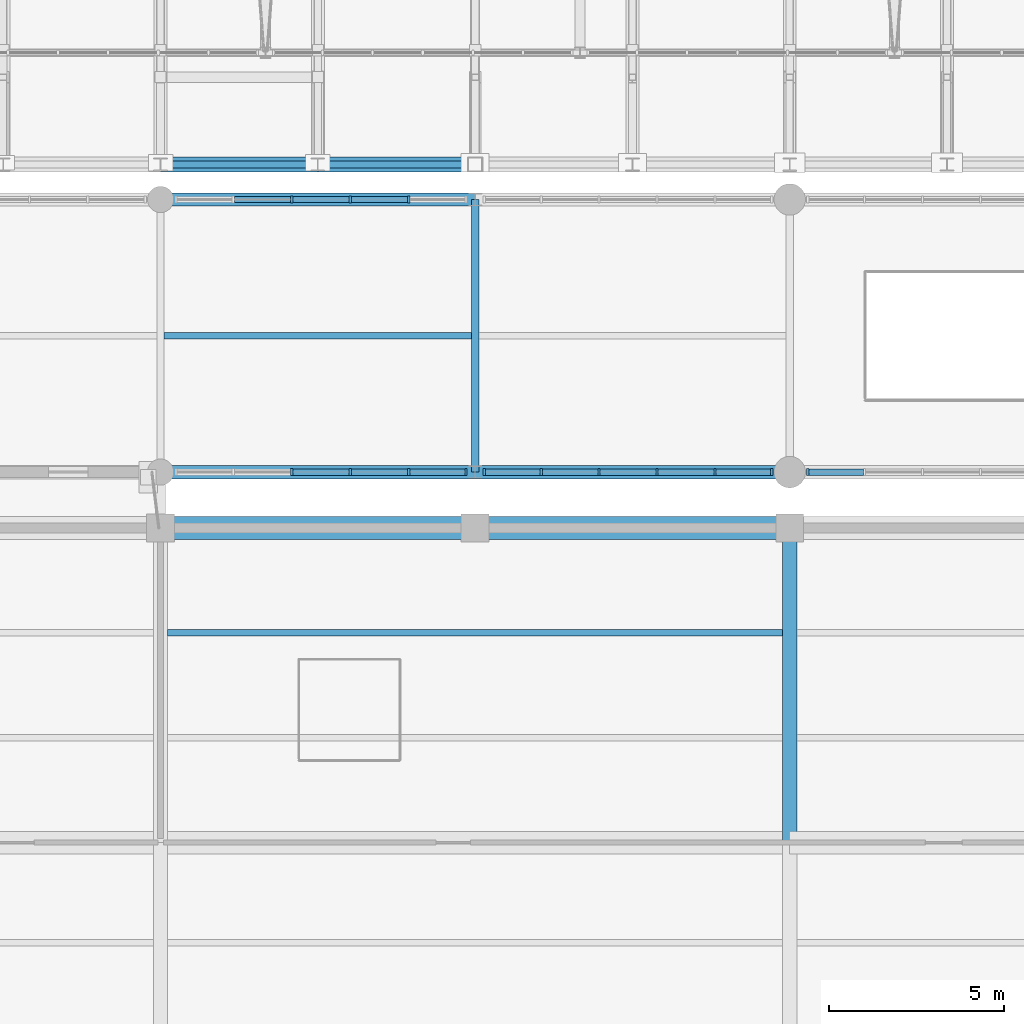
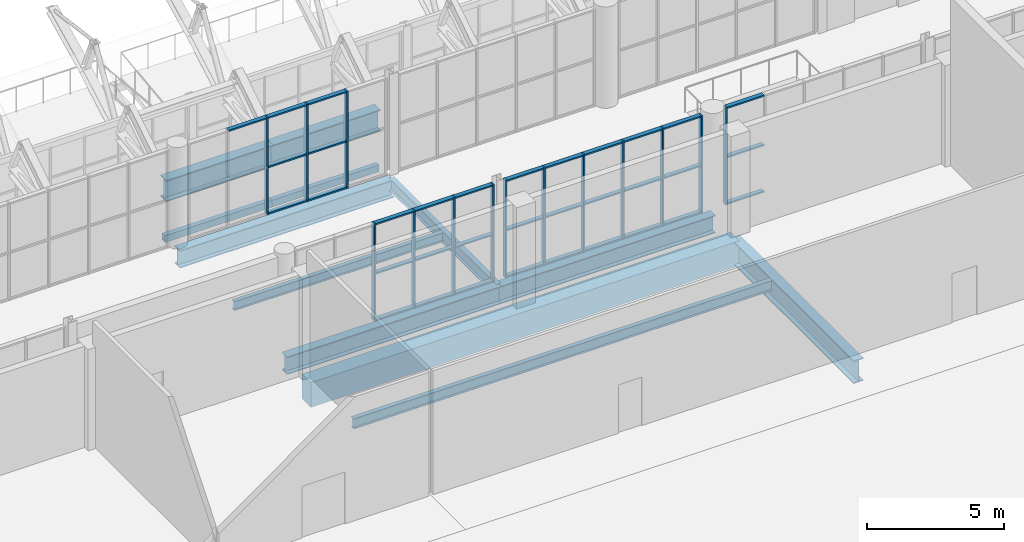
# One storey, part 40 of 134: 48 members, 12 beams, 4 elements without a shape of their own.
"""IFC4 building model written with IfcOpenShell, lengths in metres."""

from ifc_helpers import new_model, si_unit, direction, frame, origin, origin_2d, place, context, subcontext, project, spatial, rectangle, hollow_rectangle, i_section, extrude, material, layer, layer_set, material_profile, profile_set, type_object, element, aggregate, save


model = new_model("IFC4")

# Units and contexts
model_context = context("Model", 3, precision=1e-05, world=origin(), true_north=direction((0.0, 1.0)))
body_context = subcontext(model_context, "Body", "Model", "MODEL_VIEW")
ifc_project = project(units=[si_unit("LENGTHUNIT", "METRE"), si_unit("AREAUNIT", "SQUARE_METRE"), si_unit("VOLUMEUNIT", "CUBIC_METRE"), si_unit("PLANEANGLEUNIT", "RADIAN"), si_unit("MASSUNIT", "GRAM", prefix="KILO")], contexts=[model_context])

# Site, building, storey
site_placement = place(None, origin())
site = spatial("IfcSite", under=ifc_project, at=site_placement, CompositionType="ELEMENT")
building_placement = place(site_placement, origin())
building = spatial("IfcBuilding", under=site, at=building_placement, Name="Cazmaro Siding Exhibition Halls", CompositionType="ELEMENT")
storey_placement = place(building_placement, frame((0.0, 0.0, 12.0)))
storey = spatial("IfcBuildingStorey", under=building, at=storey_placement, Name="L02", CompositionType="ELEMENT", Elevation=12.0)

# Beam
ifc_material_1 = material(Name="Steel ASTM A992 Grade 50", Category="steel")
ifc_material_profile_1 = material_profile(ifc_material_1, i_section(OverallWidth=0.2099609375, OverallDepth=0.535888671875, WebThickness=0.010986328125, FlangeThickness=0.01708984375, at=origin_2d()), Name="W21X68")
ifc_profile_set_1 = profile_set([ifc_material_profile_1], Name="Steel ASTM A992 Grade 50")
beam_type_1 = type_object("IfcBeamType", Name="B-02", PredefinedType="BEAM", material=ifc_profile_set_1)
beam_1_placement = place(storey_placement, frame((117.0, 55.199951171875, -0.488037109375), z_axis=(0.0, 1.0, 0.0), x_axis=(-1.0, 0.0, 0.0)))
element("IfcBeam", 1, at=beam_1_placement, inside=storey, type_object=beam_type_1, Name="Beam B-02 BM-1712", PredefinedType="BEAM", context=body_context, shape_type="SweptSolid", body=[
    extrude(i_section(OverallWidth=0.2099609375, OverallDepth=0.535888671875, WebThickness=0.010986328125, FlangeThickness=0.01708984375, at=origin_2d()), origin(), (0.0, 0.0, 1.0), 7.800048828125),
])

# Curtain wall, members
ifc_material_2 = material(Name="Anodized Bronze Aluminum and Solar-Control Low-E Glazing", Category="aluminium")
ifc_layer = layer(ifc_material_2, 0.199951171875)
ifc_layer_set = layer_set([ifc_layer], Name="Anodized Bronze Aluminum and Solar-Control Low-E Glazing")
curtain_wall_type = type_object("IfcCurtainWallType", Name="CWS-02", PredefinedType="USERDEFINED", material=ifc_layer_set)
curtain_wall_1_placement = place(storey_placement, origin())
curtain_wall_1 = element("IfcCurtainWall", 2, at=curtain_wall_1_placement, inside=storey, type_object=curtain_wall_type, Name="Glazed Curtain Wall CWS-02 CW-182", ObjectType="GLAZED CURTAIN WALL", PredefinedType="USERDEFINED")
ifc_material_3 = material(Name="Anodized Bronze Extruded Aluminum", Category="aluminium")
ifc_material_profile_2 = material_profile(ifc_material_3, rectangle(XDim=0.199951171875, YDim=0.06494140625, at=origin_2d()), Name="CWM-02")
ifc_profile_set_2 = profile_set([ifc_material_profile_2], Name="Anodized Bronze Extruded Aluminum")
member_type_1 = type_object("IfcMemberType", Name="CWM-02", PredefinedType="MULLION", material=ifc_profile_set_2)
member_1_placement = place(storey_placement, frame((111.752685546875, 55.199951171875, 0.0), z_axis=(0.0, 0.0, 1.0), x_axis=(0.0, 1.0, 0.0)))
member_1 = element("IfcMember", 3, at=member_1_placement, type_object=member_type_1, Name="CWS-02 mullion 3", PredefinedType="MULLION", context=body_context, shape_type="SweptSolid", body=[
    extrude(rectangle(XDim=0.199951171875, YDim=0.06494140625, at=origin_2d()), origin(), (0.0, 0.0, 1.0), 4.324951171875),
])
member_2_placement = place(storey_placement, frame((113.42529296875, 55.199951171875, 0.0), z_axis=(0.0, 0.0, 1.0), x_axis=(0.0, 1.0, 0.0)))
member_2 = element("IfcMember", 4, at=member_2_placement, type_object=member_type_1, Name="CWS-02 mullion 4", PredefinedType="MULLION", context=body_context, shape_type="SweptSolid", body=[
    extrude(rectangle(XDim=0.199951171875, YDim=0.06494140625, at=origin_2d()), origin(), (0.0, 0.0, 1.0), 4.324951171875),
])
member_3_placement = place(storey_placement, frame((115.09765625, 55.199951171875, 0.0), z_axis=(0.0, 0.0, 1.0), x_axis=(0.0, 1.0, 0.0)))
member_3 = element("IfcMember", 5, at=member_3_placement, type_object=member_type_1, Name="CWS-02 mullion 5", PredefinedType="MULLION", context=body_context, shape_type="SweptSolid", body=[
    extrude(rectangle(XDim=0.199951171875, YDim=0.06494140625, at=origin_2d()), origin(), (0.0, 0.0, 1.0), 4.324951171875),
])
member_4_placement = place(storey_placement, frame((116.737548828125, 55.199951171875, 0.0), z_axis=(0.0, 0.0, 1.0), x_axis=(0.0, 1.0, 0.0)))
member_4 = element("IfcMember", 6, at=member_4_placement, type_object=member_type_1, Name="CWS-02 mullion 6", PredefinedType="MULLION", context=body_context, shape_type="SweptSolid", body=[
    extrude(rectangle(XDim=0.199951171875, YDim=0.06494140625, at=origin_2d()), origin(), (0.0, 0.0, 1.0), 4.324951171875),
])

curtain_wall_2_placement = place(storey_placement, origin())
curtain_wall_2 = element("IfcCurtainWall", 7, at=curtain_wall_2_placement, inside=storey, type_object=curtain_wall_type, Name="Glazed Curtain Wall CWS-02 CW-184", ObjectType="GLAZED CURTAIN WALL", PredefinedType="USERDEFINED")
member_5_placement = place(storey_placement, frame((115.09765625, 63.0, 0.0), z_axis=(0.0, 0.0, 1.0), x_axis=(0.0, -1.0, 0.0)))
member_5 = element("IfcMember", 8, at=member_5_placement, type_object=member_type_1, Name="CWS-02 mullion 2", PredefinedType="MULLION", context=body_context, shape_type="SweptSolid", body=[
    extrude(rectangle(XDim=0.199951171875, YDim=0.06494140625, at=origin_2d()), origin(), (0.0, 0.0, 1.0), 4.324951171875),
])
member_6_placement = place(storey_placement, frame((113.42529296875, 63.0, 0.0), z_axis=(0.0, 0.0, 1.0), x_axis=(0.0, -1.0, 0.0)))
member_6 = element("IfcMember", 9, at=member_6_placement, type_object=member_type_1, Name="CWS-02 mullion 3", PredefinedType="MULLION", context=body_context, shape_type="SweptSolid", body=[
    extrude(rectangle(XDim=0.199951171875, YDim=0.06494140625, at=origin_2d()), origin(), (0.0, 0.0, 1.0), 4.324951171875),
])
member_7_placement = place(storey_placement, frame((111.752685546875, 63.0, 0.0), z_axis=(0.0, 0.0, 1.0), x_axis=(0.0, -1.0, 0.0)))
member_7 = element("IfcMember", 10, at=member_7_placement, type_object=member_type_1, Name="CWS-02 mullion 4", PredefinedType="MULLION", context=body_context, shape_type="SweptSolid", body=[
    extrude(rectangle(XDim=0.199951171875, YDim=0.06494140625, at=origin_2d()), origin(), (0.0, 0.0, 1.0), 4.324951171875),
])

curtain_wall_3_placement = place(storey_placement, origin())
curtain_wall_3 = element("IfcCurtainWall", 11, at=curtain_wall_3_placement, inside=storey, type_object=curtain_wall_type, Name="Glazed Curtain Wall CWS-02 CW-187", ObjectType="GLAZED CURTAIN WALL", PredefinedType="USERDEFINED")
member_8_placement = place(storey_placement, frame((117.262451171875, 55.199951171875, 0.0), z_axis=(0.0, 0.0, 1.0), x_axis=(0.0, 1.0, 0.0)))
member_8 = element("IfcMember", 12, at=member_8_placement, type_object=member_type_1, Name="CWS-02 mullion 1", PredefinedType="MULLION", context=body_context, shape_type="SweptSolid", body=[
    extrude(rectangle(XDim=0.199951171875, YDim=0.06494140625, at=origin_2d()), origin(), (0.0, 0.0, 1.0), 4.324951171875),
])
member_9_placement = place(storey_placement, frame((118.887451171875, 55.199951171875, 0.0), z_axis=(0.0, 0.0, 1.0), x_axis=(0.0, 1.0, 0.0)))
member_9 = element("IfcMember", 13, at=member_9_placement, type_object=member_type_1, Name="CWS-02 mullion 2", PredefinedType="MULLION", context=body_context, shape_type="SweptSolid", body=[
    extrude(rectangle(XDim=0.199951171875, YDim=0.06494140625, at=origin_2d()), origin(), (0.0, 0.0, 1.0), 4.324951171875),
])
member_10_placement = place(storey_placement, frame((120.544921875, 55.199951171875, 0.0), z_axis=(0.0, 0.0, 1.0), x_axis=(0.0, 1.0, 0.0)))
member_10 = element("IfcMember", 14, at=member_10_placement, type_object=member_type_1, Name="CWS-02 mullion 3", PredefinedType="MULLION", context=body_context, shape_type="SweptSolid", body=[
    extrude(rectangle(XDim=0.199951171875, YDim=0.06494140625, at=origin_2d()), origin(), (0.0, 0.0, 1.0), 4.324951171875),
])
member_11_placement = place(storey_placement, frame((122.2021484375, 55.199951171875, 0.0), z_axis=(0.0, 0.0, 1.0), x_axis=(0.0, 1.0, 0.0)))
member_11 = element("IfcMember", 15, at=member_11_placement, type_object=member_type_1, Name="CWS-02 mullion 4", PredefinedType="MULLION", context=body_context, shape_type="SweptSolid", body=[
    extrude(rectangle(XDim=0.199951171875, YDim=0.06494140625, at=origin_2d()), origin(), (0.0, 0.0, 1.0), 4.324951171875),
])
member_12_placement = place(storey_placement, frame((123.859619140625, 55.199951171875, 0.0), z_axis=(0.0, 0.0, 1.0), x_axis=(0.0, 1.0, 0.0)))
member_12 = element("IfcMember", 16, at=member_12_placement, type_object=member_type_1, Name="CWS-02 mullion 5", PredefinedType="MULLION", context=body_context, shape_type="SweptSolid", body=[
    extrude(rectangle(XDim=0.199951171875, YDim=0.06494140625, at=origin_2d()), origin(), (0.0, 0.0, 1.0), 4.324951171875),
])
member_13_placement = place(storey_placement, frame((125.484619140625, 55.199951171875, 0.0), z_axis=(0.0, 0.0, 1.0), x_axis=(0.0, 1.0, 0.0)))
member_13 = element("IfcMember", 17, at=member_13_placement, type_object=member_type_1, Name="CWS-02 mullion 6", PredefinedType="MULLION", context=body_context, shape_type="SweptSolid", body=[
    extrude(rectangle(XDim=0.199951171875, YDim=0.06494140625, at=origin_2d()), origin(), (0.0, 0.0, 1.0), 4.324951171875),
])

# Curtain wall, member
curtain_wall_4_placement = place(storey_placement, origin())
curtain_wall_4 = element("IfcCurtainWall", 18, at=curtain_wall_4_placement, inside=storey, type_object=curtain_wall_type, Name="Glazed Curtain Wall CWS-02 CW-193", ObjectType="GLAZED CURTAIN WALL", PredefinedType="USERDEFINED")
member_14_placement = place(storey_placement, frame((126.515380859375, 55.199951171875, 0.0), z_axis=(0.0, 0.0, 1.0), x_axis=(0.0, 1.0, 0.0)))
member_14 = element("IfcMember", 19, at=member_14_placement, type_object=member_type_1, Name="CWS-02 mullion 1", PredefinedType="MULLION", context=body_context, shape_type="SweptSolid", body=[
    extrude(rectangle(XDim=0.199951171875, YDim=0.06494140625, at=origin_2d()), origin(), (0.0, 0.0, 1.0), 4.324951171875),
])

# Member
ifc_material_4 = material(Name="Anodized Bronze Extruded Aluminum", Category="aluminium")
ifc_material_profile_3 = material_profile(ifc_material_4, rectangle(XDim=0.179931640625, YDim=0.06494140625, at=origin_2d()), Name="CWT-02")
ifc_profile_set_3 = profile_set([ifc_material_profile_3], Name="Anodized Bronze Extruded Aluminum")
member_type_2 = type_object("IfcMemberType", Name="CWT-02", PredefinedType="MULLION", material=ifc_profile_set_3)
member_15_placement = place(storey_placement, frame((111.785400390625, 55.199951171875, 0.032470703125), z_axis=(1.0, 0.0, 0.0), x_axis=(0.0, 1.0, 0.0)))
member_15 = element("IfcMember", 20, at=member_15_placement, type_object=member_type_2, Name="CWS-02 transom 3.1", ObjectType="TRANSOM", PredefinedType="USERDEFINED", context=body_context, shape_type="SweptSolid", body=[
    extrude(rectangle(XDim=0.179931640625, YDim=0.06494140625, at=origin_2d()), origin(), (0.0, 0.0, 1.0), 1.607177734375),
])

member_16_placement = place(storey_placement, frame((111.785400390625, 55.199951171875, 2.10009765625), z_axis=(1.0, 0.0, 0.0), x_axis=(0.0, 1.0, 0.0)))
member_16 = element("IfcMember", 21, at=member_16_placement, type_object=member_type_2, Name="CWS-02 transom 3.2", ObjectType="TRANSOM", PredefinedType="USERDEFINED", context=body_context, shape_type="SweptSolid", body=[
    extrude(rectangle(XDim=0.179931640625, YDim=0.06494140625, at=origin_2d()), origin(), (0.0, 0.0, 1.0), 1.607177734375),
])

member_17_placement = place(storey_placement, frame((111.785400390625, 55.199951171875, 4.29248046875), z_axis=(1.0, 0.0, 0.0), x_axis=(0.0, 1.0, 0.0)))
member_17 = element("IfcMember", 22, at=member_17_placement, type_object=member_type_2, Name="CWS-02 transom 3.3", ObjectType="TRANSOM", PredefinedType="USERDEFINED", context=body_context, shape_type="SweptSolid", body=[
    extrude(rectangle(XDim=0.179931640625, YDim=0.06494140625, at=origin_2d()), origin(), (0.0, 0.0, 1.0), 1.607177734375),
])

member_18_placement = place(storey_placement, frame((113.457763671875, 55.199951171875, 0.032470703125), z_axis=(1.0, 0.0, 0.0), x_axis=(0.0, 1.0, 0.0)))
member_18 = element("IfcMember", 23, at=member_18_placement, type_object=member_type_2, Name="CWS-02 transom 4.1", ObjectType="TRANSOM", PredefinedType="USERDEFINED", context=body_context, shape_type="SweptSolid", body=[
    extrude(rectangle(XDim=0.179931640625, YDim=0.06494140625, at=origin_2d()), origin(), (0.0, 0.0, 1.0), 1.607421875),
])

member_19_placement = place(storey_placement, frame((113.457763671875, 55.199951171875, 2.10009765625), z_axis=(1.0, 0.0, 0.0), x_axis=(0.0, 1.0, 0.0)))
member_19 = element("IfcMember", 24, at=member_19_placement, type_object=member_type_2, Name="CWS-02 transom 4.2", ObjectType="TRANSOM", PredefinedType="USERDEFINED", context=body_context, shape_type="SweptSolid", body=[
    extrude(rectangle(XDim=0.179931640625, YDim=0.06494140625, at=origin_2d()), origin(), (0.0, 0.0, 1.0), 1.607421875),
])

member_20_placement = place(storey_placement, frame((113.457763671875, 55.199951171875, 4.29248046875), z_axis=(1.0, 0.0, 0.0), x_axis=(0.0, 1.0, 0.0)))
member_20 = element("IfcMember", 25, at=member_20_placement, type_object=member_type_2, Name="CWS-02 transom 4.3", ObjectType="TRANSOM", PredefinedType="USERDEFINED", context=body_context, shape_type="SweptSolid", body=[
    extrude(rectangle(XDim=0.179931640625, YDim=0.06494140625, at=origin_2d()), origin(), (0.0, 0.0, 1.0), 1.607421875),
])

member_21_placement = place(storey_placement, frame((115.130126953125, 55.199951171875, 0.032470703125), z_axis=(1.0, 0.0, 0.0), x_axis=(0.0, 1.0, 0.0)))
member_21 = element("IfcMember", 26, at=member_21_placement, type_object=member_type_2, Name="CWS-02 transom 5.1", ObjectType="TRANSOM", PredefinedType="USERDEFINED", context=body_context, shape_type="SweptSolid", body=[
    extrude(rectangle(XDim=0.179931640625, YDim=0.06494140625, at=origin_2d()), origin(), (0.0, 0.0, 1.0), 1.574951171875),
])

member_22_placement = place(storey_placement, frame((115.130126953125, 55.199951171875, 2.10009765625), z_axis=(1.0, 0.0, 0.0), x_axis=(0.0, 1.0, 0.0)))
member_22 = element("IfcMember", 27, at=member_22_placement, type_object=member_type_2, Name="CWS-02 transom 5.2", ObjectType="TRANSOM", PredefinedType="USERDEFINED", context=body_context, shape_type="SweptSolid", body=[
    extrude(rectangle(XDim=0.179931640625, YDim=0.06494140625, at=origin_2d()), origin(), (0.0, 0.0, 1.0), 1.574951171875),
])

member_23_placement = place(storey_placement, frame((115.130126953125, 55.199951171875, 4.29248046875), z_axis=(1.0, 0.0, 0.0), x_axis=(0.0, 1.0, 0.0)))
member_23 = element("IfcMember", 28, at=member_23_placement, type_object=member_type_2, Name="CWS-02 transom 5.3", ObjectType="TRANSOM", PredefinedType="USERDEFINED", context=body_context, shape_type="SweptSolid", body=[
    extrude(rectangle(XDim=0.179931640625, YDim=0.06494140625, at=origin_2d()), origin(), (0.0, 0.0, 1.0), 1.574951171875),
])

aggregate(curtain_wall_1, [member_1, member_2, member_3, member_4, member_15, member_16, member_17, member_18, member_19, member_20, member_21, member_22, member_23])

member_24_placement = place(storey_placement, frame((115.065185546875, 63.0, 0.032470703125), z_axis=(-1.0, 0.0, 0.0), x_axis=(0.0, -1.0, 0.0)))
member_24 = element("IfcMember", 29, at=member_24_placement, type_object=member_type_2, Name="CWS-02 transom 2.1", ObjectType="TRANSOM", PredefinedType="USERDEFINED", context=body_context, shape_type="SweptSolid", body=[
    extrude(rectangle(XDim=0.179931640625, YDim=0.06494140625, at=origin_2d()), origin(), (0.0, 0.0, 1.0), 1.607421875),
])

member_25_placement = place(storey_placement, frame((115.065185546875, 63.0, 2.10009765625), z_axis=(-1.0, 0.0, 0.0), x_axis=(0.0, -1.0, 0.0)))
member_25 = element("IfcMember", 30, at=member_25_placement, type_object=member_type_2, Name="CWS-02 transom 2.2", ObjectType="TRANSOM", PredefinedType="USERDEFINED", context=body_context, shape_type="SweptSolid", body=[
    extrude(rectangle(XDim=0.179931640625, YDim=0.06494140625, at=origin_2d()), origin(), (0.0, 0.0, 1.0), 1.607421875),
])

member_26_placement = place(storey_placement, frame((115.065185546875, 63.0, 4.29248046875), z_axis=(-1.0, 0.0, 0.0), x_axis=(0.0, -1.0, 0.0)))
member_26 = element("IfcMember", 31, at=member_26_placement, type_object=member_type_2, Name="CWS-02 transom 2.3", ObjectType="TRANSOM", PredefinedType="USERDEFINED", context=body_context, shape_type="SweptSolid", body=[
    extrude(rectangle(XDim=0.179931640625, YDim=0.06494140625, at=origin_2d()), origin(), (0.0, 0.0, 1.0), 1.607421875),
])

member_27_placement = place(storey_placement, frame((113.392578125, 63.0, 0.032470703125), z_axis=(-1.0, 0.0, 0.0), x_axis=(0.0, -1.0, 0.0)))
member_27 = element("IfcMember", 32, at=member_27_placement, type_object=member_type_2, Name="CWS-02 transom 3.1", ObjectType="TRANSOM", PredefinedType="USERDEFINED", context=body_context, shape_type="SweptSolid", body=[
    extrude(rectangle(XDim=0.179931640625, YDim=0.06494140625, at=origin_2d()), origin(), (0.0, 0.0, 1.0), 1.607177734375),
])

member_28_placement = place(storey_placement, frame((113.392578125, 63.0, 2.10009765625), z_axis=(-1.0, 0.0, 0.0), x_axis=(0.0, -1.0, 0.0)))
member_28 = element("IfcMember", 33, at=member_28_placement, type_object=member_type_2, Name="CWS-02 transom 3.2", ObjectType="TRANSOM", PredefinedType="USERDEFINED", context=body_context, shape_type="SweptSolid", body=[
    extrude(rectangle(XDim=0.179931640625, YDim=0.06494140625, at=origin_2d()), origin(), (0.0, 0.0, 1.0), 1.607177734375),
])

member_29_placement = place(storey_placement, frame((113.392578125, 63.0, 4.29248046875), z_axis=(-1.0, 0.0, 0.0), x_axis=(0.0, -1.0, 0.0)))
member_29 = element("IfcMember", 34, at=member_29_placement, type_object=member_type_2, Name="CWS-02 transom 3.3", ObjectType="TRANSOM", PredefinedType="USERDEFINED", context=body_context, shape_type="SweptSolid", body=[
    extrude(rectangle(XDim=0.179931640625, YDim=0.06494140625, at=origin_2d()), origin(), (0.0, 0.0, 1.0), 1.607177734375),
])

member_30_placement = place(storey_placement, frame((111.72021484375, 63.0, 4.29248046875), z_axis=(-1.0, 0.0, 0.0), x_axis=(0.0, -1.0, 0.0)))
member_30 = element("IfcMember", 35, at=member_30_placement, type_object=member_type_2, Name="CWS-02 transom 4.3", ObjectType="TRANSOM", PredefinedType="USERDEFINED", context=body_context, shape_type="SweptSolid", body=[
    extrude(rectangle(XDim=0.179931640625, YDim=0.06494140625, at=origin_2d()), origin(), (0.0, 0.0, 1.0), 1.607421875),
])

aggregate(curtain_wall_2, [member_5, member_6, member_7, member_24, member_25, member_26, member_27, member_28, member_29, member_30])

member_31_placement = place(storey_placement, frame((117.294921875, 55.199951171875, 0.032470703125), z_axis=(1.0, 0.0, 0.0), x_axis=(0.0, 1.0, 0.0)))
member_31 = element("IfcMember", 36, at=member_31_placement, type_object=member_type_2, Name="CWS-02 transom 1.1", ObjectType="TRANSOM", PredefinedType="USERDEFINED", context=body_context, shape_type="SweptSolid", body=[
    extrude(rectangle(XDim=0.179931640625, YDim=0.06494140625, at=origin_2d()), origin(), (0.0, 0.0, 1.0), 1.56005859375),
])

member_32_placement = place(storey_placement, frame((117.294921875, 55.199951171875, 2.10009765625), z_axis=(1.0, 0.0, 0.0), x_axis=(0.0, 1.0, 0.0)))
member_32 = element("IfcMember", 37, at=member_32_placement, type_object=member_type_2, Name="CWS-02 transom 1.2", ObjectType="TRANSOM", PredefinedType="USERDEFINED", context=body_context, shape_type="SweptSolid", body=[
    extrude(rectangle(XDim=0.179931640625, YDim=0.06494140625, at=origin_2d()), origin(), (0.0, 0.0, 1.0), 1.56005859375),
])

member_33_placement = place(storey_placement, frame((117.294921875, 55.199951171875, 4.29248046875), z_axis=(1.0, 0.0, 0.0), x_axis=(0.0, 1.0, 0.0)))
member_33 = element("IfcMember", 38, at=member_33_placement, type_object=member_type_2, Name="CWS-02 transom 1.3", ObjectType="TRANSOM", PredefinedType="USERDEFINED", context=body_context, shape_type="SweptSolid", body=[
    extrude(rectangle(XDim=0.179931640625, YDim=0.06494140625, at=origin_2d()), origin(), (0.0, 0.0, 1.0), 1.56005859375),
])

member_34_placement = place(storey_placement, frame((118.919921875, 55.199951171875, 0.032470703125), z_axis=(1.0, 0.0, 0.0), x_axis=(0.0, 1.0, 0.0)))
member_34 = element("IfcMember", 39, at=member_34_placement, type_object=member_type_2, Name="CWS-02 transom 2.1", ObjectType="TRANSOM", PredefinedType="USERDEFINED", context=body_context, shape_type="SweptSolid", body=[
    extrude(rectangle(XDim=0.179931640625, YDim=0.06494140625, at=origin_2d()), origin(), (0.0, 0.0, 1.0), 1.59228515625),
])

member_35_placement = place(storey_placement, frame((118.919921875, 55.199951171875, 2.10009765625), z_axis=(1.0, 0.0, 0.0), x_axis=(0.0, 1.0, 0.0)))
member_35 = element("IfcMember", 40, at=member_35_placement, type_object=member_type_2, Name="CWS-02 transom 2.2", ObjectType="TRANSOM", PredefinedType="USERDEFINED", context=body_context, shape_type="SweptSolid", body=[
    extrude(rectangle(XDim=0.179931640625, YDim=0.06494140625, at=origin_2d()), origin(), (0.0, 0.0, 1.0), 1.59228515625),
])

member_36_placement = place(storey_placement, frame((118.919921875, 55.199951171875, 4.29248046875), z_axis=(1.0, 0.0, 0.0), x_axis=(0.0, 1.0, 0.0)))
member_36 = element("IfcMember", 41, at=member_36_placement, type_object=member_type_2, Name="CWS-02 transom 2.3", ObjectType="TRANSOM", PredefinedType="USERDEFINED", context=body_context, shape_type="SweptSolid", body=[
    extrude(rectangle(XDim=0.179931640625, YDim=0.06494140625, at=origin_2d()), origin(), (0.0, 0.0, 1.0), 1.59228515625),
])

member_37_placement = place(storey_placement, frame((120.577392578125, 55.199951171875, 0.032470703125), z_axis=(1.0, 0.0, 0.0), x_axis=(0.0, 1.0, 0.0)))
member_37 = element("IfcMember", 42, at=member_37_placement, type_object=member_type_2, Name="CWS-02 transom 3.1", ObjectType="TRANSOM", PredefinedType="USERDEFINED", context=body_context, shape_type="SweptSolid", body=[
    extrude(rectangle(XDim=0.179931640625, YDim=0.06494140625, at=origin_2d()), origin(), (0.0, 0.0, 1.0), 1.59228515625),
])

member_38_placement = place(storey_placement, frame((120.577392578125, 55.199951171875, 2.10009765625), z_axis=(1.0, 0.0, 0.0), x_axis=(0.0, 1.0, 0.0)))
member_38 = element("IfcMember", 43, at=member_38_placement, type_object=member_type_2, Name="CWS-02 transom 3.2", ObjectType="TRANSOM", PredefinedType="USERDEFINED", context=body_context, shape_type="SweptSolid", body=[
    extrude(rectangle(XDim=0.179931640625, YDim=0.06494140625, at=origin_2d()), origin(), (0.0, 0.0, 1.0), 1.59228515625),
])

member_39_placement = place(storey_placement, frame((120.577392578125, 55.199951171875, 4.29248046875), z_axis=(1.0, 0.0, 0.0), x_axis=(0.0, 1.0, 0.0)))
member_39 = element("IfcMember", 44, at=member_39_placement, type_object=member_type_2, Name="CWS-02 transom 3.3", ObjectType="TRANSOM", PredefinedType="USERDEFINED", context=body_context, shape_type="SweptSolid", body=[
    extrude(rectangle(XDim=0.179931640625, YDim=0.06494140625, at=origin_2d()), origin(), (0.0, 0.0, 1.0), 1.59228515625),
])

member_40_placement = place(storey_placement, frame((122.234619140625, 55.199951171875, 0.032470703125), z_axis=(1.0, 0.0, 0.0), x_axis=(0.0, 1.0, 0.0)))
member_40 = element("IfcMember", 45, at=member_40_placement, type_object=member_type_2, Name="CWS-02 transom 4.1", ObjectType="TRANSOM", PredefinedType="USERDEFINED", context=body_context, shape_type="SweptSolid", body=[
    extrude(rectangle(XDim=0.179931640625, YDim=0.06494140625, at=origin_2d()), origin(), (0.0, 0.0, 1.0), 1.592529296875),
])

member_41_placement = place(storey_placement, frame((122.234619140625, 55.199951171875, 2.10009765625), z_axis=(1.0, 0.0, 0.0), x_axis=(0.0, 1.0, 0.0)))
member_41 = element("IfcMember", 46, at=member_41_placement, type_object=member_type_2, Name="CWS-02 transom 4.2", ObjectType="TRANSOM", PredefinedType="USERDEFINED", context=body_context, shape_type="SweptSolid", body=[
    extrude(rectangle(XDim=0.179931640625, YDim=0.06494140625, at=origin_2d()), origin(), (0.0, 0.0, 1.0), 1.592529296875),
])

member_42_placement = place(storey_placement, frame((122.234619140625, 55.199951171875, 4.29248046875), z_axis=(1.0, 0.0, 0.0), x_axis=(0.0, 1.0, 0.0)))
member_42 = element("IfcMember", 47, at=member_42_placement, type_object=member_type_2, Name="CWS-02 transom 4.3", ObjectType="TRANSOM", PredefinedType="USERDEFINED", context=body_context, shape_type="SweptSolid", body=[
    extrude(rectangle(XDim=0.179931640625, YDim=0.06494140625, at=origin_2d()), origin(), (0.0, 0.0, 1.0), 1.592529296875),
])

member_43_placement = place(storey_placement, frame((123.89208984375, 55.199951171875, 0.032470703125), z_axis=(1.0, 0.0, 0.0), x_axis=(0.0, 1.0, 0.0)))
member_43 = element("IfcMember", 48, at=member_43_placement, type_object=member_type_2, Name="CWS-02 transom 5.1", ObjectType="TRANSOM", PredefinedType="USERDEFINED", context=body_context, shape_type="SweptSolid", body=[
    extrude(rectangle(XDim=0.179931640625, YDim=0.06494140625, at=origin_2d()), origin(), (0.0, 0.0, 1.0), 1.559814453125),
])

member_44_placement = place(storey_placement, frame((123.89208984375, 55.199951171875, 2.10009765625), z_axis=(1.0, 0.0, 0.0), x_axis=(0.0, 1.0, 0.0)))
member_44 = element("IfcMember", 49, at=member_44_placement, type_object=member_type_2, Name="CWS-02 transom 5.2", ObjectType="TRANSOM", PredefinedType="USERDEFINED", context=body_context, shape_type="SweptSolid", body=[
    extrude(rectangle(XDim=0.179931640625, YDim=0.06494140625, at=origin_2d()), origin(), (0.0, 0.0, 1.0), 1.559814453125),
])

member_45_placement = place(storey_placement, frame((123.89208984375, 55.199951171875, 4.29248046875), z_axis=(1.0, 0.0, 0.0), x_axis=(0.0, 1.0, 0.0)))
member_45 = element("IfcMember", 50, at=member_45_placement, type_object=member_type_2, Name="CWS-02 transom 5.3", ObjectType="TRANSOM", PredefinedType="USERDEFINED", context=body_context, shape_type="SweptSolid", body=[
    extrude(rectangle(XDim=0.179931640625, YDim=0.06494140625, at=origin_2d()), origin(), (0.0, 0.0, 1.0), 1.559814453125),
])

aggregate(curtain_wall_3, [member_8, member_9, member_10, member_11, member_12, member_13, member_31, member_32, member_33, member_34, member_35, member_36, member_37, member_38, member_39, member_40, member_41, member_42, member_43, member_44, member_45])

member_46_placement = place(storey_placement, frame((126.548095703125, 55.199951171875, 0.032470703125), z_axis=(1.0, 0.0, 0.0), x_axis=(0.0, 1.0, 0.0)))
member_46 = element("IfcMember", 51, at=member_46_placement, type_object=member_type_2, Name="CWS-02 transom 1.1", ObjectType="TRANSOM", PredefinedType="USERDEFINED", context=body_context, shape_type="SweptSolid", body=[
    extrude(rectangle(XDim=0.179931640625, YDim=0.06494140625, at=origin_2d()), origin(), (0.0, 0.0, 1.0), 1.559814453125),
])

member_47_placement = place(storey_placement, frame((126.548095703125, 55.199951171875, 2.10009765625), z_axis=(1.0, 0.0, 0.0), x_axis=(0.0, 1.0, 0.0)))
member_47 = element("IfcMember", 52, at=member_47_placement, type_object=member_type_2, Name="CWS-02 transom 1.2", ObjectType="TRANSOM", PredefinedType="USERDEFINED", context=body_context, shape_type="SweptSolid", body=[
    extrude(rectangle(XDim=0.179931640625, YDim=0.06494140625, at=origin_2d()), origin(), (0.0, 0.0, 1.0), 1.559814453125),
])

member_48_placement = place(storey_placement, frame((126.548095703125, 55.199951171875, 4.29248046875), z_axis=(1.0, 0.0, 0.0), x_axis=(0.0, 1.0, 0.0)))
member_48 = element("IfcMember", 53, at=member_48_placement, type_object=member_type_2, Name="CWS-02 transom 1.3", ObjectType="TRANSOM", PredefinedType="USERDEFINED", context=body_context, shape_type="SweptSolid", body=[
    extrude(rectangle(XDim=0.179931640625, YDim=0.06494140625, at=origin_2d()), origin(), (0.0, 0.0, 1.0), 1.559814453125),
])

aggregate(curtain_wall_4, [member_14, member_46, member_47, member_48])

# Beams
ifc_material_5 = material(Name="Steel ASTM A992 Grade 50", Category="steel")
ifc_material_profile_4 = material_profile(ifc_material_5, i_section(OverallWidth=0.424072265625, OverallDepth=0.947021484375, WebThickness=0.02392578125, FlangeThickness=0.04296875, at=origin_2d()), Name="W36X302")
ifc_profile_set_4 = profile_set([ifc_material_profile_4], Name="Steel ASTM A992 Grade 50")
beam_type_2 = type_object("IfcBeamType", Name="G-01", PredefinedType="USERDEFINED", material=ifc_profile_set_4)
for number, where, z_axis, x_axis, name in (
    (54, (108.0, 64.0, 1.826904296875), (1.0, 0.0, 0.0), (0.0, 1.0, 0.0), "Beam G-01 BM-0147"),
    (55, (112.5, 64.0, 1.826904296875), (1.0, 0.0, 0.0), (0.0, 1.0, 0.0), "Beam G-01 BM-0153"),
):
    element("IfcBeam", number, at=place(storey_placement, frame(where, z_axis=z_axis, x_axis=x_axis)), inside=storey, type_object=beam_type_2, Name=name, ObjectType="GIRDER", PredefinedType="USERDEFINED", context=body_context, shape_type="SweptSolid", body=[
        extrude(i_section(OverallWidth=0.424072265625, OverallDepth=0.947021484375, WebThickness=0.02392578125, FlangeThickness=0.04296875, at=origin_2d()), origin(), (0.0, 0.0, 1.0), 4.5),
    ])
ifc_material_6 = material(Name="Steel ASTM A992 Grade 50", Category="steel")
ifc_material_profile_5 = material_profile(ifc_material_6, i_section(OverallWidth=0.381103515625, OverallDepth=0.779052734375, WebThickness=0.01806640625, FlangeThickness=0.030029296875, at=origin_2d()), Name="W30X191")
ifc_profile_set_5 = profile_set([ifc_material_profile_5], Name="Steel ASTM A992 Grade 50")
beam_type_3 = type_object("IfcBeamType", Name="G-04", PredefinedType="USERDEFINED", material=ifc_profile_set_5)
for number, where, z_axis, x_axis, name in (
    (56, (108.0, 55.199951171875, -0.610107421875), (1.0, 0.0, 0.0), (0.0, 1.0, 0.0), "Beam G-04 BM-1638"),
    (57, (108.0, 63.0, -0.610107421875), (1.0, 0.0, 0.0), (0.0, 1.0, 0.0), "Beam G-04 BM-1639"),
    (58, (117.0, 55.199951171875, -0.610107421875), (1.0, 0.0, 0.0), (0.0, 1.0, 0.0), "Beam G-04 BM-1647"),
):
    element("IfcBeam", number, at=place(storey_placement, frame(where, z_axis=z_axis, x_axis=x_axis)), inside=storey, type_object=beam_type_3, Name=name, ObjectType="GIRDER", PredefinedType="USERDEFINED", context=body_context, shape_type="SweptSolid", body=[
        extrude(i_section(OverallWidth=0.381103515625, OverallDepth=0.779052734375, WebThickness=0.01806640625, FlangeThickness=0.030029296875, at=origin_2d()), origin(), (0.0, 0.0, 1.0), 9.0),
    ])
ifc_material_7 = material(Name="Steel ASTM A992 Grade 50", Category="steel")
ifc_material_profile_6 = material_profile(ifc_material_7, i_section(OverallWidth=0.404052734375, OverallDepth=1.02099609375, WebThickness=0.02490234375, FlangeThickness=0.0458984375, at=origin_2d()), Name="W40X324")
ifc_profile_set_6 = profile_set([ifc_material_profile_6], Name="Steel ASTM A992 Grade 50")
beam_type_4 = type_object("IfcBeamType", Name="G-06", PredefinedType="USERDEFINED", material=ifc_profile_set_6)
beam_2_placement = place(storey_placement, frame((126.0, 44.60009765625, -0.81103515625), z_axis=(0.0, 1.0, 0.0), x_axis=(-1.0, 0.0, 0.0)))
element("IfcBeam", 59, at=beam_2_placement, inside=storey, type_object=beam_type_4, Name="Beam G-06 BM-1455", ObjectType="GIRDER", PredefinedType="USERDEFINED", context=body_context, shape_type="SweptSolid", body=[
    extrude(i_section(OverallWidth=0.404052734375, OverallDepth=1.02099609375, WebThickness=0.02490234375, FlangeThickness=0.0458984375, at=origin_2d()), origin(), (0.0, 0.0, 1.0), 9.0),
])
ifc_material_8 = material(Name="Concrete f'c 45 MPa", Category="concrete")
ifc_material_profile_7 = material_profile(ifc_material_8, rectangle(XDim=0.64990234375, YDim=1.10009765625, at=origin_2d()), Name="RC1100X650")
ifc_profile_set_7 = profile_set([ifc_material_profile_7], Name="Concrete f'c 45 MPa")
beam_type_5 = type_object("IfcBeamType", Name="G-08", PredefinedType="USERDEFINED", material=ifc_profile_set_7)
beam_3_placement = place(storey_placement, frame((108.0, 53.60009765625, -0.85009765625), z_axis=(1.0, 0.0, 0.0), x_axis=(0.0, 1.0, 0.0)))
element("IfcBeam", 60, at=beam_3_placement, inside=storey, type_object=beam_type_5, Name="Beam G-08 BM-1348", ObjectType="GIRDER", PredefinedType="USERDEFINED", context=body_context, shape_type="SweptSolid", body=[
    extrude(rectangle(XDim=0.64990234375, YDim=1.10009765625, at=origin_2d()), origin(), (0.0, 0.0, 1.0), 18.0),
])
ifc_material_9 = material(Name="Steel ASTM A992 Grade 50", Category="steel")
ifc_material_profile_8 = material_profile(ifc_material_9, i_section(OverallWidth=0.19091796875, OverallDepth=0.45703125, WebThickness=0.009033203125, FlangeThickness=0.013916015625, at=origin_2d()), Name="W18X50")
ifc_profile_set_8 = profile_set([ifc_material_profile_8], Name="Steel ASTM A992 Grade 50")
beam_type_6 = type_object("IfcBeamType", Name="J-01", PredefinedType="JOIST", material=ifc_profile_set_8)
beam_4_placement = place(storey_placement, frame((108.201904296875, 50.60009765625, -0.529052734375), z_axis=(1.0, 0.0, 0.0), x_axis=(0.0, 1.0, 0.0)))
element("IfcBeam", 61, at=beam_4_placement, inside=storey, type_object=beam_type_6, Name="Beam J-01 BM-1358", PredefinedType="JOIST", context=body_context, shape_type="SweptSolid", body=[
    extrude(i_section(OverallWidth=0.19091796875, OverallDepth=0.45703125, WebThickness=0.009033203125, FlangeThickness=0.013916015625, at=origin_2d()), origin(), (0.0, 0.0, 1.0), 17.59619140625),
])
ifc_material_10 = material(Name="Steel ASTM A992 Grade 50", Category="steel")
ifc_material_profile_9 = material_profile(ifc_material_10, i_section(OverallWidth=0.177978515625, OverallDepth=0.406005859375, WebThickness=0.008056640625, FlangeThickness=0.012939453125, at=origin_2d()), Name="W16X40")
ifc_profile_set_9 = profile_set([ifc_material_profile_9], Name="Steel ASTM A992 Grade 50")
beam_type_7 = type_object("IfcBeamType", Name="J-02", PredefinedType="JOIST", material=ifc_profile_set_9)
beam_5_placement = place(storey_placement, frame((108.10498046875, 59.10009765625, -0.423095703125), z_axis=(1.0, 0.0, 0.0), x_axis=(0.0, 1.0, 0.0)))
element("IfcBeam", 62, at=beam_5_placement, inside=storey, type_object=beam_type_7, Name="Beam J-02 BM-1640", PredefinedType="JOIST", context=body_context, shape_type="SweptSolid", body=[
    extrude(i_section(OverallWidth=0.177978515625, OverallDepth=0.406005859375, WebThickness=0.008056640625, FlangeThickness=0.012939453125, at=origin_2d()), origin(), (0.0, 0.0, 1.0), 8.7900390625),
])
ifc_material_11 = material(Name="Steel ASTM A500 Grade C", Category="steel")
ifc_material_profile_10 = material_profile(ifc_material_11, hollow_rectangle(XDim=0.202880859375, YDim=0.304931640625, WallThickness=0.011962890625, at=origin_2d()), Name="HSS12X8X1/2")
ifc_profile_set_10 = profile_set([ifc_material_profile_10], Name="Steel ASTM A500 Grade C")
beam_type_8 = type_object("IfcBeamType", Name="SP-01", PredefinedType="SPANDREL", material=ifc_profile_set_10)
for number, where, z_axis, x_axis, name in (
    (63, (108.0, 64.0, -0.373046875), (1.0, 0.0, 0.0), (0.0, 1.0, 0.0), "Beam SP-01 BM-0146"),
    (64, (112.5, 64.0, -0.373046875), (1.0, 0.0, 0.0), (0.0, 1.0, 0.0), "Beam SP-01 BM-0152"),
):
    element("IfcBeam", number, at=place(storey_placement, frame(where, z_axis=z_axis, x_axis=x_axis)), inside=storey, type_object=beam_type_8, Name=name, PredefinedType="SPANDREL", context=body_context, shape_type="SweptSolid", body=[
        extrude(hollow_rectangle(XDim=0.202880859375, YDim=0.304931640625, WallThickness=0.011962890625, at=origin_2d()), origin(), (0.0, 0.0, 1.0), 4.5),
    ])

save(model, "model.ifc")
